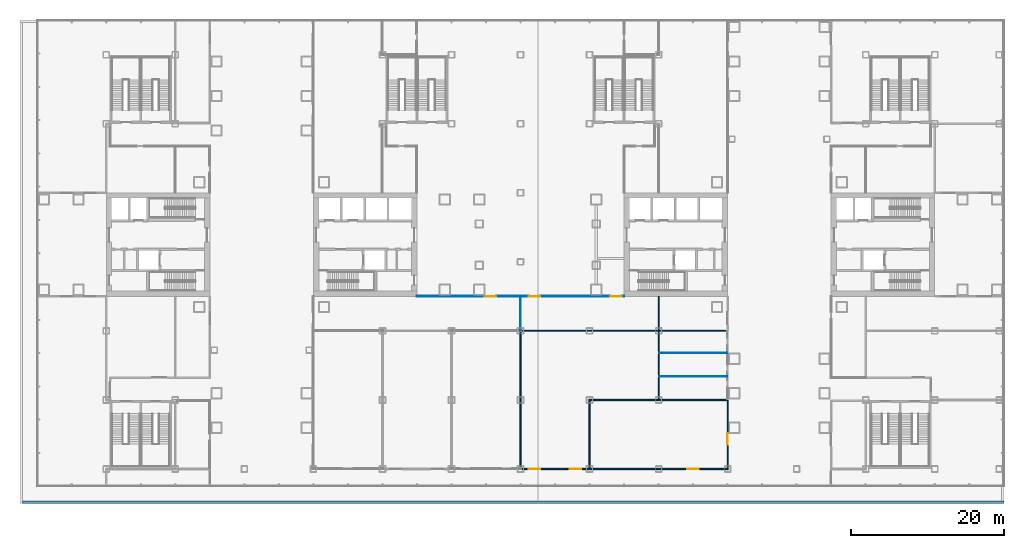
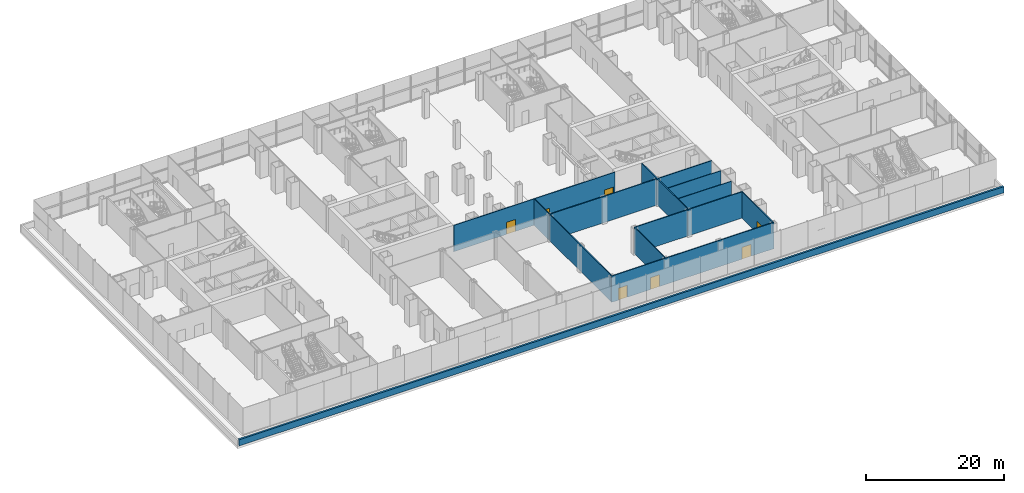
# One storey, part 20 of 30: 13 walls, 7 doors, 7 openings.
"""IFC4 building model written with IfcOpenShell, lengths in metres."""

from ifc_helpers import new_model, si_unit, direction, frame, frame_2d, origin, place, context, subcontext, project, spatial, rectangle, extrude, material, layer, layer_set, type_object, element, fill, save


model = new_model("IFC4")

# Units and contexts
model_context = context("Model", 3, precision=1e-05, world=origin(), true_north=direction((0.0, 1.0)))
body_context = subcontext(model_context, "Body", "Model", "MODEL_VIEW")
ifc_project = project(units=[si_unit("LENGTHUNIT", "METRE"), si_unit("AREAUNIT", "SQUARE_METRE"), si_unit("VOLUMEUNIT", "CUBIC_METRE"), si_unit("PLANEANGLEUNIT", "RADIAN"), si_unit("MASSUNIT", "GRAM", prefix="KILO")], contexts=[model_context])

# Site, building, storey
site_placement = place(None, origin())
site = spatial("IfcSite", under=ifc_project, at=site_placement, CompositionType="ELEMENT")
building_placement = place(site_placement, origin())
building = spatial("IfcBuilding", under=site, at=building_placement, Name="Shamsa Quay Exchange Towers", CompositionType="ELEMENT")
storey_placement = place(building_placement, frame((0.0, 0.0, 23.5)))
storey = spatial("IfcBuildingStorey", under=building, at=storey_placement, Name="L04", CompositionType="ELEMENT", Elevation=23.5)

# Wall, openings, doors
ifc_material_1 = material(Name="Laminated fire-resisting glass in a metal frame", Category="glass")
ifc_layer_1 = layer(ifc_material_1, 0.125)
ifc_layer_set_1 = layer_set([ifc_layer_1], Name="Glazed partition 125 mm EI 60")
wall_type_1 = type_object("IfcWallType", Name="Glazed partition 125 mm EI 60", PredefinedType="PARTITIONING", material=ifc_layer_set_1)
wall_1_placement = place(storey_placement, frame((-13.5, -6.75, 0.0)))
wall_1 = element("IfcWall", 1, at=wall_1_placement, inside=storey, type_object=wall_type_1, Name="Partition PD-L04-W16", PredefinedType="PARTITIONING", context=body_context, shape_type="SweptSolid", body=[
    extrude(rectangle(XDim=27.0, YDim=0.125, at=frame_2d((13.5, 0.0))), origin(), (0.0, 0.0, 1.0), 4.64990234375),
])
opening_1_placement = place(wall_1_placement, frame((8.85009765625, 0.0, 0.0)))
opening_1 = element("IfcOpeningElement", 2, at=opening_1_placement, cuts=wall_1, Name="Opening PD-L04-D18", PredefinedType="OPENING", context=body_context, shape_type="SweptSolid", body=[
    extrude(rectangle(XDim=1.5, YDim=2.10009765625, at=frame_2d((0.75, 1.050048828125))), frame((0.0, 0.072509765625, 0.0), z_axis=(0.0, -1.0, 0.0), x_axis=(1.0, 0.0, 0.0)), (0.0, 0.0, 1.0), 0.14501953125),
])
opening_2_placement = place(wall_1_placement, frame((14.550048828125, 0.0, 0.0)))
opening_2 = element("IfcOpeningElement", 3, at=opening_2_placement, cuts=wall_1, Name="Opening PD-L04-D19", PredefinedType="OPENING", context=body_context, shape_type="SweptSolid", body=[
    extrude(rectangle(XDim=1.5, YDim=2.10009765625, at=frame_2d((0.75, 1.050048828125))), frame((0.0, 0.072509765625, 0.0), z_axis=(0.0, -1.0, 0.0), x_axis=(1.0, 0.0, 0.0)), (0.0, 0.0, 1.0), 0.14501953125),
])
opening_3_placement = place(wall_1_placement, frame((25.199951171875, 0.0, 0.0)))
opening_3 = element("IfcOpeningElement", 4, at=opening_3_placement, cuts=wall_1, Name="Opening PD-L04-D20", PredefinedType="OPENING", context=body_context, shape_type="SweptSolid", body=[
    extrude(rectangle(XDim=1.5, YDim=2.10009765625, at=frame_2d((0.75, 1.050048828125))), frame((0.0, 0.072509765625, 0.0), z_axis=(0.0, -1.0, 0.0), x_axis=(1.0, 0.0, 0.0)), (0.0, 0.0, 1.0), 0.14501953125),
])
ifc_material_2 = material(Name="Timber door leaf in a metal frame", Category="wood")
door_type = type_object("IfcDoorType", Name="Door 1500x2100 FD30S pair", OperationType="NOTDEFINED", PredefinedType="DOOR", material=ifc_material_2)
door_1_placement = place(opening_1_placement, origin())
door_1 = element("IfcDoor", 5, at=door_1_placement, inside=storey, type_object=door_type, Name="Door PD-L04-D18", OperationType="DOUBLE_DOOR_SINGLE_SWING", OverallHeight=2.10009765625, OverallWidth=1.5, PredefinedType="DOOR", context=body_context, shape_type="SweptSolid", body=[
    extrude(rectangle(XDim=1.5, YDim=2.10009765625, at=frame_2d((0.75, 1.050048828125))), frame((0.0, 0.02490234375, 0.0), z_axis=(0.0, -1.0, 0.0), x_axis=(1.0, 0.0, 0.0)), (0.0, 0.0, 1.0), 0.050048828125),
])
fill(opening_1, door_1)
door_2_placement = place(opening_2_placement, origin())
door_2 = element("IfcDoor", 6, at=door_2_placement, inside=storey, type_object=door_type, Name="Door PD-L04-D19", OperationType="DOUBLE_DOOR_SINGLE_SWING", OverallHeight=2.10009765625, OverallWidth=1.5, PredefinedType="DOOR", context=body_context, shape_type="SweptSolid", body=[
    extrude(rectangle(XDim=1.5, YDim=2.10009765625, at=frame_2d((0.75, 1.050048828125))), frame((0.0, 0.02490234375, 0.0), z_axis=(0.0, -1.0, 0.0), x_axis=(1.0, 0.0, 0.0)), (0.0, 0.0, 1.0), 0.050048828125),
])
fill(opening_2, door_2)
door_3_placement = place(opening_3_placement, origin())
door_3 = element("IfcDoor", 7, at=door_3_placement, inside=storey, type_object=door_type, Name="Door PD-L04-D20", OperationType="DOUBLE_DOOR_SINGLE_SWING", OverallHeight=2.10009765625, OverallWidth=1.5, PredefinedType="DOOR", context=body_context, shape_type="SweptSolid", body=[
    extrude(rectangle(XDim=1.5, YDim=2.10009765625, at=frame_2d((0.75, 1.050048828125))), frame((0.0, 0.02490234375, 0.0), z_axis=(0.0, -1.0, 0.0), x_axis=(1.0, 0.0, 0.0)), (0.0, 0.0, 1.0), 0.050048828125),
])
fill(opening_3, door_3)

# Walls
wall_2_placement = place(storey_placement, frame((0.0, -11.175048828125, 0.0), z_axis=(0.0, 0.0, 1.0), x_axis=(0.0, 1.0, 0.0)))
element("IfcWall", 8, at=wall_2_placement, inside=storey, type_object=wall_type_1, Name="Partition PD-L04-W83", PredefinedType="PARTITIONING", context=body_context, shape_type="SweptSolid", body=[
    extrude(rectangle(XDim=4.362548828125, YDim=0.125, at=frame_2d((2.18115234375, 0.0))), origin(), (0.0, 0.0, 1.0), 4.64990234375),
])
ifc_material_3 = material(Name="Gypsum board partition on metal studs")
ifc_layer_2 = layer(ifc_material_3, 0.10009765625)
ifc_layer_set_2 = layer_set([ifc_layer_2], Name="Partition 100 mm NOT RATED")
wall_type_2 = type_object("IfcWallType", Name="Partition 100 mm NOT RATED", PredefinedType="PARTITIONING", material=ifc_layer_set_2)
for number, where, z_axis, x_axis, name in (
    (9, (26.949951171875, -17.1875, 0.0), (0.0, 0.0, 1.0), (-1.0, 0.0, 0.0), "Partition PD-L04-W84"),
    (10, (26.949951171875, -14.125, 0.0), (0.0, 0.0, 1.0), (-1.0, 0.0, 0.0), "Partition PD-L04-W85"),
):
    element("IfcWall", number, at=place(storey_placement, frame(where, z_axis=z_axis, x_axis=x_axis)), inside=storey, type_object=wall_type_2, Name=name, PredefinedType="PARTITIONING", context=body_context, shape_type="SweptSolid", body=[
        extrude(rectangle(XDim=8.875, YDim=0.10009765625, at=frame_2d((4.4375, 0.0))), origin(), (0.0, 0.0, 1.0), 4.64990234375),
    ])

# Wall, opening, door
ifc_layer_3 = layer(ifc_material_3, 0.14990234375)
ifc_layer_set_3 = layer_set([ifc_layer_3], Name="Partition 150 mm EI 60")
wall_type_3 = type_object("IfcWallType", Name="Partition 150 mm EI 60", PredefinedType="PARTITIONING", material=ifc_layer_set_3)
wall_3_placement = place(storey_placement, frame((27.0, -20.324951171875, 0.0), z_axis=(0.0, 0.0, 1.0), x_axis=(0.0, -1.0, 0.0)))
wall_3 = element("IfcWall", 11, at=wall_3_placement, inside=storey, type_object=wall_type_3, Name="Partition PD-L04-W10", PredefinedType="PARTITIONING", context=body_context, shape_type="SweptSolid", body=[
    extrude(rectangle(XDim=8.85009765625, YDim=0.14990234375, at=frame_2d((4.425048828125, 0.0))), origin(), (0.0, 0.0, 1.0), 4.64990234375),
])
opening_4_placement = place(wall_3_placement, frame((4.27490234375, 0.0, 0.0)))
opening_4 = element("IfcOpeningElement", 12, at=opening_4_placement, cuts=wall_3, Name="Opening PD-L04-D34", PredefinedType="OPENING", context=body_context, shape_type="SweptSolid", body=[
    extrude(rectangle(XDim=1.5, YDim=2.10009765625, at=frame_2d((0.75, 1.050048828125))), frame((0.0, 0.0849609375, 0.0), z_axis=(0.0, -1.0, 0.0), x_axis=(1.0, 0.0, 0.0)), (0.0, 0.0, 1.0), 0.169921875),
])
door_4_placement = place(opening_4_placement, origin())
door_4 = element("IfcDoor", 13, at=door_4_placement, inside=storey, type_object=door_type, Name="Door PD-L04-D34", OperationType="DOUBLE_DOOR_SINGLE_SWING", OverallHeight=2.10009765625, OverallWidth=1.5, PredefinedType="DOOR", context=body_context, shape_type="SweptSolid", body=[
    extrude(rectangle(XDim=1.5, YDim=2.10009765625, at=frame_2d((0.75, 1.050048828125))), frame((0.0, 0.02490234375, 0.0), z_axis=(0.0, -1.0, 0.0), x_axis=(1.0, 0.0, 0.0)), (0.0, 0.0, 1.0), 0.050048828125),
])
fill(opening_4, door_4)

# Wall, openings, doors
wall_4_placement = place(storey_placement, frame((27.074951171875, -29.25, 0.0), z_axis=(0.0, 0.0, 1.0), x_axis=(-1.0, 0.0, 0.0)))
wall_4 = element("IfcWall", 14, at=wall_4_placement, inside=storey, type_object=wall_type_3, Name="Partition PD-L04-W22", PredefinedType="PARTITIONING", context=body_context, shape_type="SweptSolid", body=[
    extrude(rectangle(XDim=27.14990234375, YDim=0.14990234375, at=frame_2d((13.574951171875, 0.0))), origin(), (0.0, 0.0, 1.0), 4.64990234375),
])
opening_5_placement = place(wall_4_placement, frame((3.824951171875, 0.0, 0.0)))
opening_5 = element("IfcOpeningElement", 15, at=opening_5_placement, cuts=wall_4, Name="Opening PD-L04-D29", PredefinedType="OPENING", context=body_context, shape_type="SweptSolid", body=[
    extrude(rectangle(XDim=1.5, YDim=2.10009765625, at=frame_2d((0.75, 1.050048828125))), frame((0.0, 0.0849609375, 0.0), z_axis=(0.0, -1.0, 0.0), x_axis=(1.0, 0.0, 0.0)), (0.0, 0.0, 1.0), 0.169921875),
])
opening_6_placement = place(wall_4_placement, frame((19.125, 0.0, 0.0)))
opening_6 = element("IfcOpeningElement", 16, at=opening_6_placement, cuts=wall_4, Name="Opening PD-L04-D30", PredefinedType="OPENING", context=body_context, shape_type="SweptSolid", body=[
    extrude(rectangle(XDim=1.5, YDim=2.10009765625, at=frame_2d((0.75, 1.050048828125))), frame((0.0, 0.0849609375, 0.0), z_axis=(0.0, -1.0, 0.0), x_axis=(1.0, 0.0, 0.0)), (0.0, 0.0, 1.0), 0.169921875),
])
opening_7_placement = place(wall_4_placement, frame((24.52490234375, 0.0, 0.0)))
opening_7 = element("IfcOpeningElement", 17, at=opening_7_placement, cuts=wall_4, Name="Opening PD-L04-D31", PredefinedType="OPENING", context=body_context, shape_type="SweptSolid", body=[
    extrude(rectangle(XDim=1.5, YDim=2.10009765625, at=frame_2d((0.75, 1.050048828125))), frame((0.0, 0.0849609375, 0.0), z_axis=(0.0, -1.0, 0.0), x_axis=(1.0, 0.0, 0.0)), (0.0, 0.0, 1.0), 0.169921875),
])
door_5_placement = place(opening_5_placement, origin())
door_5 = element("IfcDoor", 18, at=door_5_placement, inside=storey, type_object=door_type, Name="Door PD-L04-D29", OperationType="DOUBLE_DOOR_SINGLE_SWING", OverallHeight=2.10009765625, OverallWidth=1.5, PredefinedType="DOOR", context=body_context, shape_type="SweptSolid", body=[
    extrude(rectangle(XDim=1.5, YDim=2.10009765625, at=frame_2d((0.75, 1.050048828125))), frame((0.0, 0.02490234375, 0.0), z_axis=(0.0, -1.0, 0.0), x_axis=(1.0, 0.0, 0.0)), (0.0, 0.0, 1.0), 0.050048828125),
])
fill(opening_5, door_5)
door_6_placement = place(opening_6_placement, origin())
door_6 = element("IfcDoor", 19, at=door_6_placement, inside=storey, type_object=door_type, Name="Door PD-L04-D30", OperationType="DOUBLE_DOOR_SINGLE_SWING", OverallHeight=2.10009765625, OverallWidth=1.5, PredefinedType="DOOR", context=body_context, shape_type="SweptSolid", body=[
    extrude(rectangle(XDim=1.5, YDim=2.10009765625, at=frame_2d((0.75, 1.050048828125))), frame((0.0, 0.02490234375, 0.0), z_axis=(0.0, -1.0, 0.0), x_axis=(1.0, 0.0, 0.0)), (0.0, 0.0, 1.0), 0.050048828125),
])
fill(opening_6, door_6)
door_7_placement = place(opening_7_placement, origin())
door_7 = element("IfcDoor", 20, at=door_7_placement, inside=storey, type_object=door_type, Name="Door PD-L04-D31", OperationType="DOUBLE_DOOR_SINGLE_SWING", OverallHeight=2.10009765625, OverallWidth=1.5, PredefinedType="DOOR", context=body_context, shape_type="SweptSolid", body=[
    extrude(rectangle(XDim=1.5, YDim=2.10009765625, at=frame_2d((0.75, 1.050048828125))), frame((0.0, 0.02490234375, 0.0), z_axis=(0.0, -1.0, 0.0), x_axis=(1.0, 0.0, 0.0)), (0.0, 0.0, 1.0), 0.050048828125),
])
fill(opening_7, door_7)

# Walls
wall_5_placement = place(storey_placement, frame((0.0, -11.324951171875, 0.0), z_axis=(0.0, 0.0, 1.0), x_axis=(0.0, -1.0, 0.0)))
element("IfcWall", 21, at=wall_5_placement, inside=storey, type_object=wall_type_3, Name="Partition PD-L04-W58", PredefinedType="PARTITIONING", context=body_context, shape_type="SweptSolid", body=[
    extrude(rectangle(XDim=17.85009765625, YDim=0.14990234375, at=frame_2d((8.925048828125, 0.0))), origin(), (0.0, 0.0, 1.0), 4.64990234375),
])
wall_6_placement = place(storey_placement, frame((8.925048828125, -20.25, 0.0)))
element("IfcWall", 22, at=wall_6_placement, inside=storey, type_object=wall_type_3, Name="Partition PD-L04-W59", PredefinedType="PARTITIONING", context=body_context, shape_type="SweptSolid", body=[
    extrude(rectangle(XDim=9.14990234375, YDim=0.14990234375, at=frame_2d((4.574951171875, 0.0))), origin(), (0.0, 0.0, 1.0), 4.64990234375),
])
wall_7_placement = place(storey_placement, frame((9.0, -29.175048828125, 0.0), z_axis=(0.0, 0.0, 1.0), x_axis=(0.0, 1.0, 0.0)))
element("IfcWall", 23, at=wall_7_placement, inside=storey, type_object=wall_type_3, Name="Partition PD-L04-W60", PredefinedType="PARTITIONING", context=body_context, shape_type="SweptSolid", body=[
    extrude(rectangle(XDim=8.85009765625, YDim=0.14990234375, at=frame_2d((4.425048828125, 0.0))), origin(), (0.0, 0.0, 1.0), 4.64990234375),
])
wall_8_placement = place(storey_placement, frame((27.074951171875, -11.25, 0.0), z_axis=(0.0, 0.0, 1.0), x_axis=(-1.0, 0.0, 0.0)))
element("IfcWall", 24, at=wall_8_placement, inside=storey, type_object=wall_type_3, Name="Partition PD-L04-W62", PredefinedType="PARTITIONING", context=body_context, shape_type="SweptSolid", body=[
    extrude(rectangle(XDim=27.14990234375, YDim=0.14990234375, at=frame_2d((13.574951171875, 0.0))), origin(), (0.0, 0.0, 1.0), 4.64990234375),
])
wall_9_placement = place(storey_placement, frame((18.0, -20.175048828125, 0.0), z_axis=(0.0, 0.0, 1.0), x_axis=(0.0, 1.0, 0.0)))
element("IfcWall", 25, at=wall_9_placement, inside=storey, type_object=wall_type_3, Name="Partition PD-L04-W64", PredefinedType="PARTITIONING", context=body_context, shape_type="SweptSolid", body=[
    extrude(rectangle(XDim=13.425048828125, YDim=0.14990234375, at=frame_2d((6.71240234375, 0.0))), origin(), (0.0, 0.0, 1.0), 4.64990234375),
])
wall_10_placement = place(storey_placement, frame((27.074951171875, -20.25, 0.0), z_axis=(0.0, 0.0, 1.0), x_axis=(-1.0, 0.0, 0.0)))
element("IfcWall", 26, at=wall_10_placement, inside=storey, type_object=wall_type_3, Name="Partition PD-L04-W66", PredefinedType="PARTITIONING", context=body_context, shape_type="SweptSolid", body=[
    extrude(rectangle(XDim=9.14990234375, YDim=0.14990234375, at=frame_2d((4.574951171875, 0.0))), origin(), (0.0, 0.0, 1.0), 4.64990234375),
])
ifc_material_4 = material(Name="Reinforced concrete C30/37", Category="concrete")
ifc_layer_4 = layer(ifc_material_4, 0.300048828125)
ifc_layer_set_4 = layer_set([ifc_layer_4], Name="ROOF PARAPET 300 C30/37")
wall_type_4 = type_object("IfcWallType", Name="ROOF PARAPET 300 C30/37", PredefinedType="PARAPET", material=ifc_layer_set_4)
wall_11_placement = place(storey_placement, frame((-64.949951171875, -33.60009765625, 0.0)))
element("IfcWall", 27, at=wall_11_placement, inside=storey, type_object=wall_type_4, Name="Parapet L03 3", PredefinedType="PARAPET", context=body_context, shape_type="SweptSolid", body=[
    extrude(rectangle(XDim=127.949951171875, YDim=0.300048828125, at=frame_2d((63.97509765625, 0.0))), origin(), (0.0, 0.0, 1.0), 1.10009765625),
])

save(model, "model.ifc")
